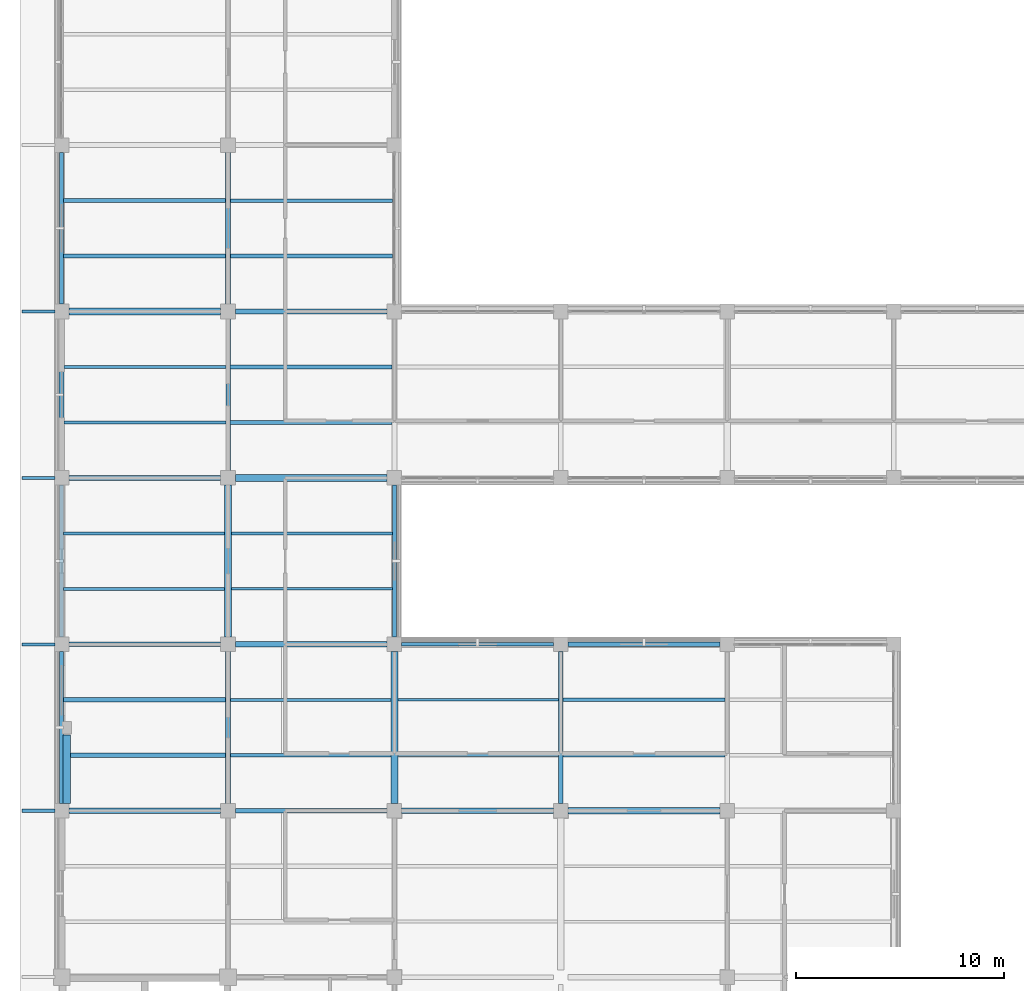
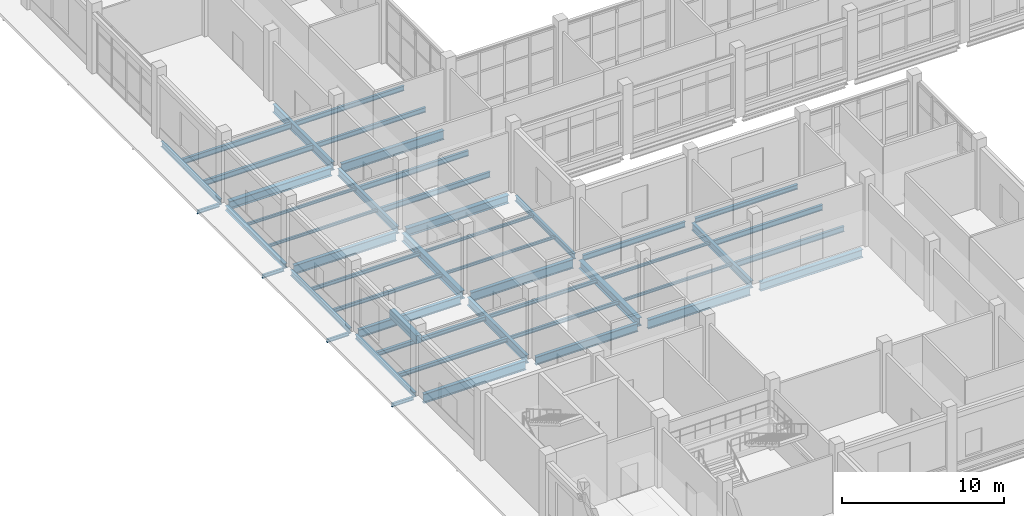
# One storey, part 10 of 105: 48 beams.
"""IFC4 building model written with IfcOpenShell, lengths in metres."""

from ifc_helpers import new_model, si_unit, derived_unit, direction, frame, origin, origin_2d, place, context, subcontext, project, spatial, rectangle, i_section, extrude, material, material_profile, profile_set, type_object, element, save


model = new_model("IFC4")

# Units and contexts
model_context = context("Model", 3, precision=1e-05, world=origin(), true_north=direction((0.0, 1.0)))
body_context = subcontext(model_context, "Body", "Model", "MODEL_VIEW")
ifc_project = project(units=[si_unit("LENGTHUNIT", "METRE"), si_unit("AREAUNIT", "SQUARE_METRE"), si_unit("VOLUMEUNIT", "CUBIC_METRE"), si_unit("PLANEANGLEUNIT", "RADIAN"), si_unit("MASSUNIT", "GRAM", prefix="KILO"), derived_unit("THERMALTRANSMITTANCEUNIT", [(si_unit("MASSUNIT", "GRAM", prefix="KILO"), 1), (si_unit("TIMEUNIT", "SECOND"), -3), (si_unit("THERMODYNAMICTEMPERATUREUNIT", "KELVIN"), -1)])], contexts=[model_context])

# Site, building, storey
site_placement = place(None, origin())
site = spatial("IfcSite", under=ifc_project, at=site_placement, CompositionType="ELEMENT")
building_placement = place(site_placement, origin())
building = spatial("IfcBuilding", under=site, at=building_placement, Name="Veyamyaing Civic Hall", CompositionType="ELEMENT")
storey_placement = place(building_placement, origin())
storey = spatial("IfcBuildingStorey", under=building, at=storey_placement, Name="L00", CompositionType="ELEMENT", Elevation=0.0)

# Beams
ifc_material_1 = material(Name="Steel ASTM A992", Category="steel")
ifc_material_profile_1 = material_profile(ifc_material_1, i_section(OverallWidth=0.256103515625, OverallDepth=0.693115234375, WebThickness=0.014404296875, FlangeThickness=0.023681640625, FilletRadius=0.013916015625, at=origin_2d()), Name="W690X170")
ifc_profile_set_1 = profile_set([ifc_material_profile_1], Name="Steel ASTM A992")
beam_type_1 = type_object("IfcBeamType", Name="B-04", PredefinedType="BEAM", material=ifc_profile_set_1)
for number, where, z_axis, x_axis, name in (
    (1, (0.35009765625, 32.0, -0.611572265625), (1.0, 0.0, 0.0), (0.0, 1.0, 0.0), "Girder B-04 L00 Grid E 1-2"),
    (2, (8.35009765625, 56.0, -0.611572265625), (1.0, 0.0, 0.0), (0.0, 1.0, 0.0), "Girder B-04 L00 Grid H 2-3"),
):
    element("IfcBeam", number, at=place(storey_placement, frame(where, z_axis=z_axis, x_axis=x_axis)), inside=storey, type_object=beam_type_1, Name=name, PredefinedType="BEAM", context=body_context, shape_type="SweptSolid", body=[
        extrude(i_section(OverallWidth=0.256103515625, OverallDepth=0.693115234375, WebThickness=0.014404296875, FlangeThickness=0.023681640625, FilletRadius=0.013916015625, at=origin_2d()), origin(), (0.0, 0.0, 1.0), 7.2998046875),
    ])
ifc_material_profile_2 = material_profile(ifc_material_1, i_section(OverallWidth=0.22998046875, OverallDepth=0.616943359375, WebThickness=0.01318359375, FlangeThickness=0.022216796875, FilletRadius=0.012939453125, at=origin_2d()), Name="W610X140")
ifc_profile_set_2 = profile_set([ifc_material_profile_2], Name="Steel ASTM A992")
beam_type_2 = type_object("IfcBeamType", Name="B-05", PredefinedType="BEAM", material=ifc_profile_set_2)
for number, where, z_axis, x_axis, name in (
    (3, (8.35009765625, 32.0, -0.573486328125), (1.0, 0.0, 0.0), (0.0, 1.0, 0.0), "Girder B-05 L00 Grid E 2-3"),
    (4, (0.35009765625, 40.0, -0.573486328125), (1.0, 0.0, 0.0), (0.0, 1.0, 0.0), "Girder B-05 L00 Grid F 1-2"),
    (5, (8.0, 56.35009765625, -0.573486328125), (0.0, 1.0, 0.0), (-1.0, 0.0, 0.0), "Girder B-05 L00 Grid 2 H-J"),
):
    element("IfcBeam", number, at=place(storey_placement, frame(where, z_axis=z_axis, x_axis=x_axis)), inside=storey, type_object=beam_type_2, Name=name, PredefinedType="BEAM", context=body_context, shape_type="SweptSolid", body=[
        extrude(i_section(OverallWidth=0.22998046875, OverallDepth=0.616943359375, WebThickness=0.01318359375, FlangeThickness=0.022216796875, FilletRadius=0.012939453125, at=origin_2d()), origin(), (0.0, 0.0, 1.0), 7.2998046875),
    ])
ifc_material_profile_3 = material_profile(ifc_material_1, i_section(OverallWidth=0.22802734375, OverallDepth=0.60791015625, WebThickness=0.01123046875, FlangeThickness=0.017333984375, FilletRadius=0.012939453125, at=origin_2d()), Name="W610X113")
ifc_profile_set_3 = profile_set([ifc_material_profile_3], Name="Steel ASTM A992")
beam_type_3 = type_object("IfcBeamType", Name="B-06", PredefinedType="BEAM", material=ifc_profile_set_3)
beam_1_placement = place(storey_placement, frame((8.0, 32.35009765625, -0.569091796875), z_axis=(0.0, 1.0, 0.0), x_axis=(-1.0, 0.0, 0.0)))
element("IfcBeam", 6, at=beam_1_placement, inside=storey, type_object=beam_type_3, Name="Girder B-06 L00 Grid 2 E-F", PredefinedType="BEAM", context=body_context, shape_type="SweptSolid", body=[
    extrude(i_section(OverallWidth=0.22802734375, OverallDepth=0.60791015625, WebThickness=0.01123046875, FlangeThickness=0.017333984375, FilletRadius=0.012939453125, at=origin_2d()), origin(), (0.0, 0.0, 1.0), 7.2998046875),
])
ifc_material_profile_4 = material_profile(ifc_material_1, i_section(OverallWidth=0.179931640625, OverallDepth=0.4130859375, WebThickness=0.009765625, FlangeThickness=0.01611328125, FilletRadius=0.010009765625, at=origin_2d()), Name="W410X74")
ifc_profile_set_4 = profile_set([ifc_material_profile_4], Name="Steel ASTM A992")
beam_type_4 = type_object("IfcBeamType", Name="B-10", PredefinedType="SPANDREL", material=ifc_profile_set_4)
for number, where, z_axis, x_axis, name in (
    (7, (16.35009765625, 40.0, -0.471435546875), (1.0, 0.0, 0.0), (0.0, 1.0, 0.0), "Girder B-10 L00 Grid F 3-4"),
    (8, (0.0, 56.35009765625, -0.471435546875), (0.0, 1.0, 0.0), (-1.0, 0.0, 0.0), "Girder B-10 L00 Grid 1 H-J"),
    (9, (16.0, 40.35009765625, -0.471435546875), (0.0, 1.0, 0.0), (-1.0, 0.0, 0.0), "Girder B-10 L00 Grid 3 F-G"),
):
    element("IfcBeam", number, at=place(storey_placement, frame(where, z_axis=z_axis, x_axis=x_axis)), inside=storey, type_object=beam_type_4, Name=name, PredefinedType="SPANDREL", context=body_context, shape_type="SweptSolid", body=[
        extrude(i_section(OverallWidth=0.179931640625, OverallDepth=0.4130859375, WebThickness=0.009765625, FlangeThickness=0.01611328125, FilletRadius=0.010009765625, at=origin_2d()), origin(), (0.0, 0.0, 1.0), 7.2998046875),
    ])
ifc_material_profile_5 = material_profile(ifc_material_1, i_section(OverallWidth=0.2041015625, OverallDepth=0.35009765625, WebThickness=0.0078125, FlangeThickness=0.01513671875, FilletRadius=0.010009765625, at=origin_2d()), Name="W360X72")
ifc_profile_set_5 = profile_set([ifc_material_profile_5], Name="Steel ASTM A992")
beam_type_5 = type_object("IfcBeamType", Name="B-11", PredefinedType="SPANDREL", material=ifc_profile_set_5)
for number, where, z_axis, x_axis, name in (
    (10, (24.35009765625, 40.0, -0.43994140625), (1.0, 0.0, 0.0), (0.0, 1.0, 0.0), "Girder B-11 L00 Grid F 4-5"),
    (11, (0.0, 32.35009765625, -0.43994140625), (0.0, 1.0, 0.0), (-1.0, 0.0, 0.0), "Girder B-11 L00 Grid 1 E-F"),
):
    element("IfcBeam", number, at=place(storey_placement, frame(where, z_axis=z_axis, x_axis=x_axis)), inside=storey, type_object=beam_type_5, Name=name, PredefinedType="SPANDREL", context=body_context, shape_type="SweptSolid", body=[
        extrude(i_section(OverallWidth=0.2041015625, OverallDepth=0.35009765625, WebThickness=0.0078125, FlangeThickness=0.01513671875, FilletRadius=0.010009765625, at=origin_2d()), origin(), (0.0, 0.0, 1.0), 7.2998046875),
    ])
ifc_material_profile_6 = material_profile(ifc_material_1, i_section(OverallWidth=0.14599609375, OverallDepth=0.258056640625, WebThickness=0.006103515625, FlangeThickness=0.009033203125, FilletRadius=0.010009765625, at=origin_2d()), Name="W250X33")
ifc_profile_set_6 = profile_set([ifc_material_profile_6], Name="Steel ASTM A992")
beam_type_6 = type_object("IfcBeamType", Name="B-12", PredefinedType="BEAM", material=ifc_profile_set_6)
for number, where, z_axis, x_axis, name in (
    (12, (-1.89990234375, 32.0, -0.34912109375), (1.0, 0.0, 0.0), (0.0, 1.0, 0.0), "Colonnade deck transverse beam B-12 W.4"),
    (13, (-1.89990234375, 40.0, -0.34912109375), (1.0, 0.0, 0.0), (0.0, 1.0, 0.0), "Colonnade deck transverse beam B-12 W.5"),
    (14, (-1.89990234375, 48.0, -0.34912109375), (1.0, 0.0, 0.0), (0.0, 1.0, 0.0), "Colonnade deck transverse beam B-12 W.6"),
    (15, (-1.89990234375, 56.0, -0.34912109375), (1.0, 0.0, 0.0), (0.0, 1.0, 0.0), "Colonnade deck transverse beam B-12 W.7"),
):
    element("IfcBeam", number, at=place(storey_placement, frame(where, z_axis=z_axis, x_axis=x_axis)), inside=storey, type_object=beam_type_6, Name=name, PredefinedType="BEAM", context=body_context, shape_type="SweptSolid", body=[
        extrude(i_section(OverallWidth=0.14599609375, OverallDepth=0.258056640625, WebThickness=0.006103515625, FlangeThickness=0.009033203125, FilletRadius=0.010009765625, at=origin_2d()), origin(), (0.0, 0.0, 1.0), 1.579833984375),
    ])
ifc_material_profile_7 = material_profile(ifc_material_1, i_section(OverallWidth=0.25390625, OverallDepth=0.68408203125, WebThickness=0.012451171875, FlangeThickness=0.01904296875, FilletRadius=0.013916015625, at=origin_2d()), Name="W690X140")
ifc_profile_set_7 = profile_set([ifc_material_profile_7], Name="Steel ASTM A992")
beam_type_7 = type_object("IfcBeamType", Name="B-14", PredefinedType="BEAM", material=ifc_profile_set_7)
for number, where, z_axis, x_axis, name in (
    (16, (16.35009765625, 32.0, -0.60693359375), (1.0, 0.0, 0.0), (0.0, 1.0, 0.0), "Girder B-14 L00 Grid E 3-4"),
    (17, (8.35009765625, 40.0, -0.60693359375), (1.0, 0.0, 0.0), (0.0, 1.0, 0.0), "Girder B-14 L00 Grid F 2-3"),
    (18, (0.35009765625, 48.0, -0.60693359375), (1.0, 0.0, 0.0), (0.0, 1.0, 0.0), "Girder B-14 L00 Grid G 1-2"),
):
    element("IfcBeam", number, at=place(storey_placement, frame(where, z_axis=z_axis, x_axis=x_axis)), inside=storey, type_object=beam_type_7, Name=name, PredefinedType="BEAM", context=body_context, shape_type="SweptSolid", body=[
        extrude(i_section(OverallWidth=0.25390625, OverallDepth=0.68408203125, WebThickness=0.012451171875, FlangeThickness=0.01904296875, FilletRadius=0.013916015625, at=origin_2d()), origin(), (0.0, 0.0, 1.0), 7.2998046875),
    ])
ifc_material_profile_8 = material_profile(ifc_material_1, i_section(OverallWidth=0.324951171875, OverallDepth=0.615966796875, WebThickness=0.013916015625, FlangeThickness=0.021484375, FilletRadius=0.013916015625, at=origin_2d()), Name="W610X174")
ifc_profile_set_8 = profile_set([ifc_material_profile_8], Name="Steel ASTM A992")
beam_type_8 = type_object("IfcBeamType", Name="B-15", PredefinedType="BEAM", material=ifc_profile_set_8)
for number, where, z_axis, x_axis, name in (
    (19, (24.35009765625, 32.0, -0.572998046875), (1.0, 0.0, 0.0), (0.0, 1.0, 0.0), "Girder B-15 L00 Grid E 4-5"),
    (20, (8.35009765625, 48.0, -0.572998046875), (1.0, 0.0, 0.0), (0.0, 1.0, 0.0), "Girder B-15 L00 Grid G 2-3"),
    (21, (0.35009765625, 56.0, -0.572998046875), (1.0, 0.0, 0.0), (0.0, 1.0, 0.0), "Girder B-15 L00 Grid H 1-2"),
    (22, (8.0, 40.35009765625, -0.572998046875), (0.0, 1.0, 0.0), (-1.0, 0.0, 0.0), "Girder B-15 L00 Grid 2 F-G"),
    (23, (16.0, 32.35009765625, -0.572998046875), (0.0, 1.0, 0.0), (-1.0, 0.0, 0.0), "Girder B-15 L00 Grid 3 E-F"),
):
    element("IfcBeam", number, at=place(storey_placement, frame(where, z_axis=z_axis, x_axis=x_axis)), inside=storey, type_object=beam_type_8, Name=name, PredefinedType="BEAM", context=body_context, shape_type="SweptSolid", body=[
        extrude(i_section(OverallWidth=0.324951171875, OverallDepth=0.615966796875, WebThickness=0.013916015625, FlangeThickness=0.021484375, FilletRadius=0.013916015625, at=origin_2d()), origin(), (0.0, 0.0, 1.0), 7.2998046875),
    ])
ifc_material_profile_9 = material_profile(ifc_material_1, i_section(OverallWidth=0.214111328125, OverallDepth=0.549072265625, WebThickness=0.0146484375, FlangeThickness=0.023681640625, FilletRadius=0.011962890625, at=origin_2d()), Name="W530X138")
ifc_profile_set_9 = profile_set([ifc_material_profile_9], Name="Steel ASTM A992")
beam_type_9 = type_object("IfcBeamType", Name="B-16", PredefinedType="BEAM", material=ifc_profile_set_9)
for number, where, z_axis, x_axis, name in (
    (24, (8.0, 48.35009765625, -0.53955078125), (0.0, 1.0, 0.0), (-1.0, 0.0, 0.0), "Girder B-16 L00 Grid 2 G-H"),
    (25, (24.0, 32.35009765625, -0.53955078125), (0.0, 1.0, 0.0), (-1.0, 0.0, 0.0), "Girder B-16 L00 Grid 4 E-F"),
):
    element("IfcBeam", number, at=place(storey_placement, frame(where, z_axis=z_axis, x_axis=x_axis)), inside=storey, type_object=beam_type_9, Name=name, PredefinedType="BEAM", context=body_context, shape_type="SweptSolid", body=[
        extrude(i_section(OverallWidth=0.214111328125, OverallDepth=0.549072265625, WebThickness=0.0146484375, FlangeThickness=0.023681640625, FilletRadius=0.011962890625, at=origin_2d()), origin(), (0.0, 0.0, 1.0), 7.2998046875),
    ])
ifc_material_profile_10 = material_profile(ifc_material_1, i_section(OverallWidth=0.180908203125, OverallDepth=0.4169921875, WebThickness=0.010986328125, FlangeThickness=0.018310546875, FilletRadius=0.010009765625, at=origin_2d()), Name="W410X85")
ifc_profile_set_10 = profile_set([ifc_material_profile_10], Name="Steel ASTM A992")
beam_type_10 = type_object("IfcBeamType", Name="B-19", PredefinedType="SPANDREL", material=ifc_profile_set_10)
beam_2_placement = place(storey_placement, frame((0.0, 40.35009765625, -0.473388671875), z_axis=(0.0, 1.0, 0.0), x_axis=(-1.0, 0.0, 0.0)))
element("IfcBeam", 26, at=beam_2_placement, inside=storey, type_object=beam_type_10, Name="Girder B-19 L00 Grid 1 F-G", PredefinedType="SPANDREL", context=body_context, shape_type="SweptSolid", body=[
    extrude(i_section(OverallWidth=0.180908203125, OverallDepth=0.4169921875, WebThickness=0.010986328125, FlangeThickness=0.018310546875, FilletRadius=0.010009765625, at=origin_2d()), origin(), (0.0, 0.0, 1.0), 7.2998046875),
])
ifc_material_profile_11 = material_profile(ifc_material_1, i_section(OverallWidth=0.25390625, OverallDepth=0.35302734375, WebThickness=0.009521484375, FlangeThickness=0.016357421875, FilletRadius=0.011962890625, at=origin_2d()), Name="W360X91")
ifc_profile_set_11 = profile_set([ifc_material_profile_11], Name="Steel ASTM A992")
beam_type_11 = type_object("IfcBeamType", Name="B-20", PredefinedType="SPANDREL", material=ifc_profile_set_11)
beam_3_placement = place(storey_placement, frame((0.0, 48.35009765625, -0.44140625), z_axis=(0.0, 1.0, 0.0), x_axis=(-1.0, 0.0, 0.0)))
element("IfcBeam", 27, at=beam_3_placement, inside=storey, type_object=beam_type_11, Name="Girder B-20 L00 Grid 1 G-H", PredefinedType="SPANDREL", context=body_context, shape_type="SweptSolid", body=[
    extrude(i_section(OverallWidth=0.25390625, OverallDepth=0.35302734375, WebThickness=0.009521484375, FlangeThickness=0.016357421875, FilletRadius=0.011962890625, at=origin_2d()), origin(), (0.0, 0.0, 1.0), 7.2998046875),
])
ifc_material_profile_12 = material_profile(ifc_material_1, i_section(OverallWidth=0.177978515625, OverallDepth=0.406982421875, WebThickness=0.0078125, FlangeThickness=0.0126953125, FilletRadius=0.010009765625, at=origin_2d()), Name="W410X60")
ifc_profile_set_12 = profile_set([ifc_material_profile_12], Name="Steel ASTM A992")
beam_type_12 = type_object("IfcBeamType", Name="J-01", PredefinedType="JOIST", material=ifc_profile_set_12)
for number, where, z_axis, x_axis, name in (
    (28, (0.087890625, 58.666748046875, -0.468505859375), (1.0, 0.0, 0.0), (0.0, 1.0, 0.0), "Composite floor joist J-01 L00 1.8.1"),
    (29, (0.087890625, 61.333251953125, -0.468505859375), (1.0, 0.0, 0.0), (0.0, 1.0, 0.0), "Composite floor joist J-01 L00 1.8.2"),
):
    element("IfcBeam", number, at=place(storey_placement, frame(where, z_axis=z_axis, x_axis=x_axis)), inside=storey, type_object=beam_type_12, Name=name, PredefinedType="JOIST", context=body_context, shape_type="SweptSolid", body=[
        extrude(i_section(OverallWidth=0.177978515625, OverallDepth=0.406982421875, WebThickness=0.0078125, FlangeThickness=0.0126953125, FilletRadius=0.010009765625, at=origin_2d()), origin(), (0.0, 0.0, 1.0), 7.799072265625),
    ])
for number, where, z_axis, x_axis, name in (
    (30, (8.10498046875, 50.666748046875, -0.468505859375), (1.0, 0.0, 0.0), (0.0, 1.0, 0.0), "Composite floor joist J-01 L00 2.7.1"),
    (31, (8.10498046875, 53.333251953125, -0.468505859375), (1.0, 0.0, 0.0), (0.0, 1.0, 0.0), "Composite floor joist J-01 L00 2.7.2"),
    (32, (24.10498046875, 34.666748046875, -0.468505859375), (1.0, 0.0, 0.0), (0.0, 1.0, 0.0), "Composite floor joist J-01 L00 4.5.1"),
    (33, (24.10498046875, 37.333251953125, -0.468505859375), (1.0, 0.0, 0.0), (0.0, 1.0, 0.0), "Composite floor joist J-01 L00 4.5.2"),
):
    element("IfcBeam", number, at=place(storey_placement, frame(where, z_axis=z_axis, x_axis=x_axis)), inside=storey, type_object=beam_type_12, Name=name, PredefinedType="JOIST", context=body_context, shape_type="SweptSolid", body=[
        extrude(i_section(OverallWidth=0.177978515625, OverallDepth=0.406982421875, WebThickness=0.0078125, FlangeThickness=0.0126953125, FilletRadius=0.010009765625, at=origin_2d()), origin(), (0.0, 0.0, 1.0), 7.781982421875),
    ])
ifc_material_profile_13 = material_profile(ifc_material_1, i_section(OverallWidth=0.172119140625, OverallDepth=0.35791015625, WebThickness=0.0078125, FlangeThickness=0.01318359375, FilletRadius=0.010009765625, at=origin_2d()), Name="W360X57")
ifc_profile_set_13 = profile_set([ifc_material_profile_13], Name="Steel ASTM A992")
beam_type_13 = type_object("IfcBeamType", Name="J-02", PredefinedType="JOIST", material=ifc_profile_set_13)
for number, where, z_axis, x_axis, name in (
    (34, (8.113037109375, 58.666748046875, -0.444091796875), (1.0, 0.0, 0.0), (0.0, 1.0, 0.0), "Composite floor joist J-02 L00 2.8.1"),
    (35, (8.113037109375, 61.333251953125, -0.444091796875), (1.0, 0.0, 0.0), (0.0, 1.0, 0.0), "Composite floor joist J-02 L00 2.8.2"),
):
    element("IfcBeam", number, at=place(storey_placement, frame(where, z_axis=z_axis, x_axis=x_axis)), inside=storey, type_object=beam_type_13, Name=name, PredefinedType="JOIST", context=body_context, shape_type="SweptSolid", body=[
        extrude(i_section(OverallWidth=0.172119140625, OverallDepth=0.35791015625, WebThickness=0.0078125, FlangeThickness=0.01318359375, FilletRadius=0.010009765625, at=origin_2d()), origin(), (0.0, 0.0, 1.0), 7.798583984375),
    ])
ifc_material_profile_14 = material_profile(ifc_material_1, i_section(OverallWidth=0.2041015625, OverallDepth=0.305908203125, WebThickness=0.008544921875, FlangeThickness=0.0146484375, FilletRadius=0.010009765625, at=origin_2d()), Name="W310X67")
ifc_profile_set_14 = profile_set([ifc_material_profile_14], Name="Steel ASTM A992")
beam_type_14 = type_object("IfcBeamType", Name="J-06", PredefinedType="JOIST", material=ifc_profile_set_14)
for number, where, z_axis, x_axis, name in (
    (36, (0.10009765625, 34.666748046875, -0.41796875), (1.0, 0.0, 0.0), (0.0, 1.0, 0.0), "Composite floor joist J-06 L00 1.5.1"),
    (37, (0.10009765625, 37.333251953125, -0.41796875), (1.0, 0.0, 0.0), (0.0, 1.0, 0.0), "Composite floor joist J-06 L00 1.5.2"),
):
    element("IfcBeam", number, at=place(storey_placement, frame(where, z_axis=z_axis, x_axis=x_axis)), inside=storey, type_object=beam_type_14, Name=name, PredefinedType="JOIST", context=body_context, shape_type="SweptSolid", body=[
        extrude(i_section(OverallWidth=0.2041015625, OverallDepth=0.305908203125, WebThickness=0.008544921875, FlangeThickness=0.0146484375, FilletRadius=0.010009765625, at=origin_2d()), origin(), (0.0, 0.0, 1.0), 7.787841796875),
    ])
ifc_material_profile_15 = material_profile(ifc_material_1, i_section(OverallWidth=0.14794921875, OverallDepth=0.26611328125, WebThickness=0.007568359375, FlangeThickness=0.012939453125, FilletRadius=0.010009765625, at=origin_2d()), Name="W250X45")
ifc_profile_set_15 = profile_set([ifc_material_profile_15], Name="Steel ASTM A992")
beam_type_15 = type_object("IfcBeamType", Name="J-07", PredefinedType="JOIST", material=ifc_profile_set_15)
for number, where, z_axis, x_axis, name in (
    (38, (0.08837890625, 42.666748046875, -0.39794921875), (1.0, 0.0, 0.0), (0.0, 1.0, 0.0), "Composite floor joist J-07 L00 1.6.1"),
    (39, (0.08837890625, 45.333251953125, -0.39794921875), (1.0, 0.0, 0.0), (0.0, 1.0, 0.0), "Composite floor joist J-07 L00 1.6.2"),
):
    element("IfcBeam", number, at=place(storey_placement, frame(where, z_axis=z_axis, x_axis=x_axis)), inside=storey, type_object=beam_type_15, Name=name, PredefinedType="JOIST", context=body_context, shape_type="SweptSolid", body=[
        extrude(i_section(OverallWidth=0.14794921875, OverallDepth=0.26611328125, WebThickness=0.007568359375, FlangeThickness=0.012939453125, FilletRadius=0.010009765625, at=origin_2d()), origin(), (0.0, 0.0, 1.0), 7.751220703125),
    ])
for number, where, z_axis, x_axis, name in (
    (40, (8.112060546875, 34.666748046875, -0.39794921875), (1.0, 0.0, 0.0), (0.0, 1.0, 0.0), "Composite floor joist J-07 L00 2.5.1"),
    (41, (8.112060546875, 37.333251953125, -0.39794921875), (1.0, 0.0, 0.0), (0.0, 1.0, 0.0), "Composite floor joist J-07 L00 2.5.2"),
):
    element("IfcBeam", number, at=place(storey_placement, frame(where, z_axis=z_axis, x_axis=x_axis)), inside=storey, type_object=beam_type_15, Name=name, PredefinedType="JOIST", context=body_context, shape_type="SweptSolid", body=[
        extrude(i_section(OverallWidth=0.14794921875, OverallDepth=0.26611328125, WebThickness=0.007568359375, FlangeThickness=0.012939453125, FilletRadius=0.010009765625, at=origin_2d()), origin(), (0.0, 0.0, 1.0), 7.7275390625),
    ])
ifc_material_profile_16 = material_profile(ifc_material_1, i_section(OverallWidth=0.133056640625, OverallDepth=0.20703125, WebThickness=0.005859375, FlangeThickness=0.00830078125, FilletRadius=0.010009765625, at=origin_2d()), Name="W200X27")
ifc_profile_set_16 = profile_set([ifc_material_profile_16], Name="Steel ASTM A992")
beam_type_16 = type_object("IfcBeamType", Name="J-08", PredefinedType="JOIST", material=ifc_profile_set_16)
for number, where, z_axis, x_axis, name in (
    (42, (0.125, 50.666748046875, -0.368408203125), (1.0, 0.0, 0.0), (0.0, 1.0, 0.0), "Composite floor joist J-08 L00 1.7.1"),
    (43, (0.125, 53.333251953125, -0.368408203125), (1.0, 0.0, 0.0), (0.0, 1.0, 0.0), "Composite floor joist J-08 L00 1.7.2"),
):
    element("IfcBeam", number, at=place(storey_placement, frame(where, z_axis=z_axis, x_axis=x_axis)), inside=storey, type_object=beam_type_16, Name=name, PredefinedType="JOIST", context=body_context, shape_type="SweptSolid", body=[
        extrude(i_section(OverallWidth=0.133056640625, OverallDepth=0.20703125, WebThickness=0.005859375, FlangeThickness=0.00830078125, FilletRadius=0.010009765625, at=origin_2d()), origin(), (0.0, 0.0, 1.0), 7.77001953125),
    ])
for number, where, z_axis, x_axis, name in (
    (44, (8.160400390625, 42.666748046875, -0.368408203125), (1.0, 0.0, 0.0), (0.0, 1.0, 0.0), "Composite floor joist J-08 L00 2.6.1"),
    (45, (8.160400390625, 45.333251953125, -0.368408203125), (1.0, 0.0, 0.0), (0.0, 1.0, 0.0), "Composite floor joist J-08 L00 2.6.2"),
):
    element("IfcBeam", number, at=place(storey_placement, frame(where, z_axis=z_axis, x_axis=x_axis)), inside=storey, type_object=beam_type_16, Name=name, PredefinedType="JOIST", context=body_context, shape_type="SweptSolid", body=[
        extrude(i_section(OverallWidth=0.133056640625, OverallDepth=0.20703125, WebThickness=0.005859375, FlangeThickness=0.00830078125, FilletRadius=0.010009765625, at=origin_2d()), origin(), (0.0, 0.0, 1.0), 7.751708984375),
    ])
for number, where, z_axis, x_axis, name in (
    (46, (16.160400390625, 34.666748046875, -0.368408203125), (1.0, 0.0, 0.0), (0.0, 1.0, 0.0), "Composite floor joist J-08 L00 3.5.1"),
    (47, (16.160400390625, 37.333251953125, -0.368408203125), (1.0, 0.0, 0.0), (0.0, 1.0, 0.0), "Composite floor joist J-08 L00 3.5.2"),
):
    element("IfcBeam", number, at=place(storey_placement, frame(where, z_axis=z_axis, x_axis=x_axis)), inside=storey, type_object=beam_type_16, Name=name, PredefinedType="JOIST", context=body_context, shape_type="SweptSolid", body=[
        extrude(i_section(OverallWidth=0.133056640625, OverallDepth=0.20703125, WebThickness=0.005859375, FlangeThickness=0.00830078125, FilletRadius=0.010009765625, at=origin_2d()), origin(), (0.0, 0.0, 1.0), 7.734619140625),
    ])
ifc_material_2 = material(Name="Precast concrete C40/50", Category="concrete")
ifc_material_profile_17 = material_profile(ifc_material_2, rectangle(XDim=0.35009765625, YDim=0.60009765625, at=origin_2d()), Name="RC-LINT-350X600")
ifc_profile_set_17 = profile_set([ifc_material_profile_17], Name="Precast concrete C40/50")
beam_type_17 = type_object("IfcBeamType", Name="LN-02", PredefinedType="LINTEL", material=ifc_profile_set_17)
beam_4_placement = place(storey_placement, frame((0.25, 32.35009765625, 3.64990234375), z_axis=(0.0, 1.0, 0.0), x_axis=(-1.0, 0.0, 0.0)))
element("IfcBeam", 48, at=beam_4_placement, inside=storey, type_object=beam_type_17, Name="Riwaq Arcade Precast Lintel LN-02 PIL-W-04", PredefinedType="LINTEL", context=body_context, shape_type="SweptSolid", body=[
    extrude(rectangle(XDim=0.35009765625, YDim=0.60009765625, at=origin_2d()), origin(), (0.0, 0.0, 1.0), 3.2998046875),
])

save(model, "model.ifc")
